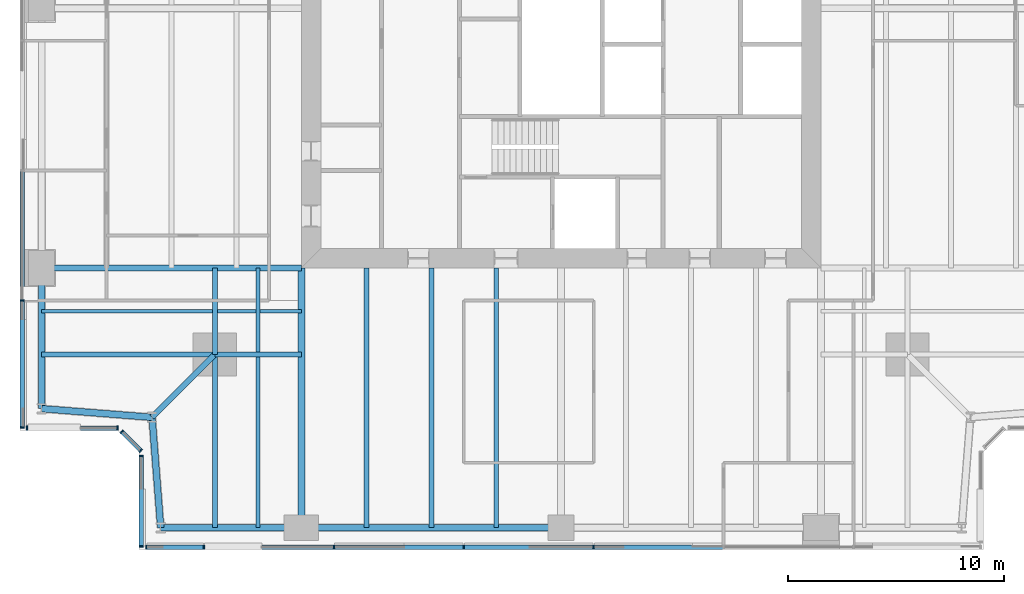
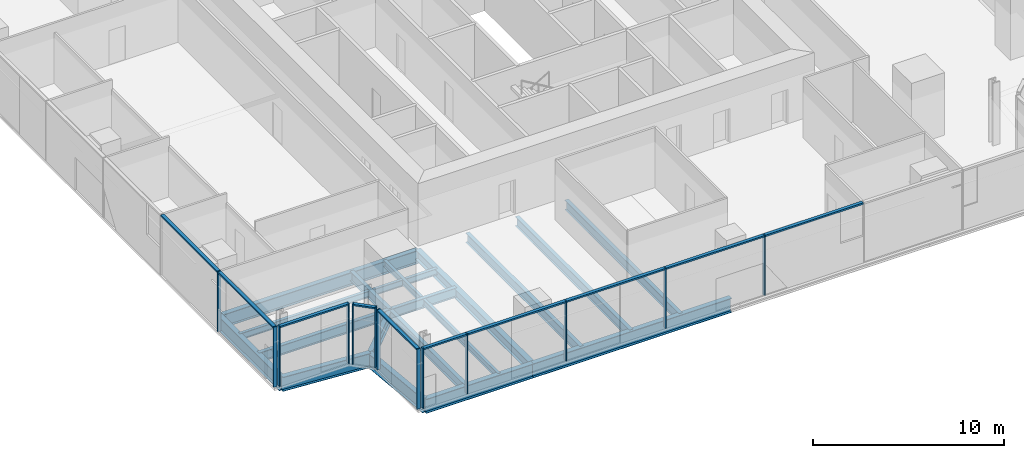
# One storey, part 2 of 16: 23 members, 20 beams, 5 elements without a shape of their own.
"""IFC4 building model written with IfcOpenShell, lengths in metres."""

from ifc_helpers import new_model, si_unit, direction, frame, origin, origin_2d, place, context, subcontext, project, spatial, rectangle, i_section, extrude, material, material_profile, profile_set, type_object, element, aggregate, save


model = new_model("IFC4")

# Units and contexts
model_context = context("Model", 3, precision=1e-05, world=origin(), true_north=direction((0.0, 1.0)))
body_context = subcontext(model_context, "Body", "Model", "MODEL_VIEW")
ifc_project = project(units=[si_unit("LENGTHUNIT", "METRE"), si_unit("AREAUNIT", "SQUARE_METRE"), si_unit("VOLUMEUNIT", "CUBIC_METRE"), si_unit("PLANEANGLEUNIT", "RADIAN"), si_unit("MASSUNIT", "GRAM", prefix="KILO")], contexts=[model_context])

# Site, building, storey
site_placement = place(None, origin())
site = spatial("IfcSite", under=ifc_project, at=site_placement, CompositionType="ELEMENT")
building_placement = place(site_placement, origin())
building = spatial("IfcBuilding", under=site, at=building_placement, Name="Fenwick Lantern Interchange", CompositionType="ELEMENT")
storey_placement = place(building_placement, frame((0.0, 0.0, 177.800048828125)))
storey = spatial("IfcBuildingStorey", under=building, at=storey_placement, Name="L41", CompositionType="ELEMENT", Elevation=177.800048828125)

# Beams
ifc_material_1 = material(Name="Steel ASTM A992 Grade 50", Category="steel")
ifc_material_profile_1 = material_profile(ifc_material_1, i_section(OverallWidth=0.3046875, OverallDepth=0.911865234375, WebThickness=0.015869140625, FlangeThickness=0.02392578125, at=origin_2d()), Name="W36X150")
ifc_profile_set_1 = profile_set([ifc_material_profile_1], Name="Steel ASTM A992 Grade 50")
beam_type_1 = type_object("IfcBeamType", Name="EDGE BEAM W36X150", PredefinedType="SPANDREL", material=ifc_profile_set_1)
beam_1_placement = place(storey_placement, frame((6.5, 1.0, -0.60595703125), z_axis=(1.0, 0.0, 0.0), x_axis=(0.0, 1.0, 0.0)))
element("IfcBeam", 1, at=beam_1_placement, inside=storey, type_object=beam_type_1, Name="L41/FR/S/EB1", PredefinedType="SPANDREL", context=body_context, shape_type="SweptSolid", body=[
    extrude(i_section(OverallWidth=0.3046875, OverallDepth=0.911865234375, WebThickness=0.015869140625, FlangeThickness=0.02392578125, at=origin_2d()), origin(), (0.0, 0.0, 1.0), 6.5),
])
beam_2_placement = place(storey_placement, frame((13.0, 1.0, -0.60595703125), z_axis=(1.0, 0.0, 0.0), x_axis=(0.0, 1.0, 0.0)))
element("IfcBeam", 2, at=beam_2_placement, inside=storey, type_object=beam_type_1, Name="L41/FR/S/EB2", PredefinedType="SPANDREL", context=body_context, shape_type="SweptSolid", body=[
    extrude(i_section(OverallWidth=0.3046875, OverallDepth=0.911865234375, WebThickness=0.015869140625, FlangeThickness=0.02392578125, at=origin_2d()), origin(), (0.0, 0.0, 1.0), 12.0),
])
beam_3_placement = place(storey_placement, frame((1.0, 13.0, -0.60595703125), z_axis=(0.0, -1.0, 0.0), x_axis=(1.0, 0.0, 0.0)))
element("IfcBeam", 3, at=beam_3_placement, inside=storey, type_object=beam_type_1, Name="L41/FR/W/EB4", PredefinedType="SPANDREL", context=body_context, shape_type="SweptSolid", body=[
    extrude(i_section(OverallWidth=0.3046875, OverallDepth=0.911865234375, WebThickness=0.015869140625, FlangeThickness=0.02392578125, at=origin_2d()), origin(), (0.0, 0.0, 1.0), 6.5),
])
for number, where, z_axis, x_axis, name in (
    (4, (1.0, 6.5, -0.60595703125), (0.99693998236, -0.078170784639, 0.0), (0.078170784639, 0.99693998236, 0.0), "L41/FR/W/EBR1"),
    (5, (6.10009765625, 6.10009765625, -0.60595703125), (0.078170784639, -0.99693998236, 0.0), (0.99693998236, 0.078170784639, 0.0), "L41/FR/W/EBR2"),
):
    element("IfcBeam", number, at=place(storey_placement, frame(where, z_axis=z_axis, x_axis=x_axis)), inside=storey, type_object=beam_type_1, Name=name, PredefinedType="SPANDREL", context=body_context, shape_type="SweptSolid", body=[
        extrude(i_section(OverallWidth=0.3046875, OverallDepth=0.911865234375, WebThickness=0.015869140625, FlangeThickness=0.02392578125, at=origin_2d()), origin(), (0.0, 0.0, 1.0), 5.11572265625),
    ])
ifc_material_profile_2 = material_profile(ifc_material_1, i_section(OverallWidth=0.22900390625, OverallDepth=0.612060546875, WebThickness=0.011962890625, FlangeThickness=0.01953125, at=origin_2d()), Name="W24X84")
ifc_profile_set_2 = profile_set([ifc_material_profile_2], Name="Steel ASTM A992 Grade 50")
beam_type_2 = type_object("IfcBeamType", Name="FLOOR BEAM W24X84", PredefinedType="BEAM", material=ifc_profile_set_2)
for number, where, z_axis, x_axis, name in (
    (6, (16.0, 1.0, -0.4560546875), (0.0, 1.0, 0.0), (-1.0, 0.0, 0.0), "L41/FR/S/R02"),
    (7, (19.0, 1.0, -0.4560546875), (0.0, 1.0, 0.0), (-1.0, 0.0, 0.0), "L41/FR/S/R03"),
    (8, (22.0, 1.0, -0.4560546875), (0.0, 1.0, 0.0), (-1.0, 0.0, 0.0), "L41/FR/S/R04"),
):
    element("IfcBeam", number, at=place(storey_placement, frame(where, z_axis=z_axis, x_axis=x_axis)), inside=storey, type_object=beam_type_2, Name=name, PredefinedType="BEAM", context=body_context, shape_type="SweptSolid", body=[
        extrude(i_section(OverallWidth=0.22900390625, OverallDepth=0.612060546875, WebThickness=0.011962890625, FlangeThickness=0.01953125, at=origin_2d()), origin(), (0.0, 0.0, 1.0), 12.0),
    ])
ifc_material_profile_3 = material_profile(ifc_material_1, i_section(OverallWidth=0.177734375, OverallDepth=0.406494140625, WebThickness=0.0078125, FlangeThickness=0.012939453125, at=origin_2d()), Name="W16X40")
ifc_profile_set_3 = profile_set([ifc_material_profile_3], Name="Steel ASTM A992 Grade 50")
beam_type_3 = type_object("IfcBeamType", Name="INFILL BEAM W16X40", PredefinedType="JOIST", material=ifc_profile_set_3)
beam_4_placement = place(storey_placement, frame((11.0, 1.0, -0.353271484375), z_axis=(0.0, 1.0, 0.0), x_axis=(-1.0, 0.0, 0.0)))
element("IfcBeam", 9, at=beam_4_placement, inside=storey, type_object=beam_type_3, Name="L41/FR/S/J1", PredefinedType="JOIST", context=body_context, shape_type="SweptSolid", body=[
    extrude(i_section(OverallWidth=0.177734375, OverallDepth=0.406494140625, WebThickness=0.0078125, FlangeThickness=0.012939453125, at=origin_2d()), origin(), (0.0, 0.0, 1.0), 7.885498046875),
])
beam_5_placement = place(storey_placement, frame((11.0, 9.114501953125, -0.353271484375), z_axis=(0.0, 1.0, 0.0), x_axis=(-1.0, 0.0, 0.0)))
element("IfcBeam", 10, at=beam_5_placement, inside=storey, type_object=beam_type_3, Name="L41/FR/S/J2", PredefinedType="JOIST", context=body_context, shape_type="SweptSolid", body=[
    extrude(i_section(OverallWidth=0.177734375, OverallDepth=0.406494140625, WebThickness=0.0078125, FlangeThickness=0.012939453125, at=origin_2d()), origin(), (0.0, 0.0, 1.0), 3.885498046875),
])
beam_6_placement = place(storey_placement, frame((1.0, 11.0, -0.353271484375), z_axis=(1.0, 0.0, 0.0), x_axis=(0.0, 1.0, 0.0)))
element("IfcBeam", 11, at=beam_6_placement, inside=storey, type_object=beam_type_3, Name="L41/FR/S/J3", PredefinedType="JOIST", context=body_context, shape_type="SweptSolid", body=[
    extrude(i_section(OverallWidth=0.177734375, OverallDepth=0.406494140625, WebThickness=0.0078125, FlangeThickness=0.012939453125, at=origin_2d()), origin(), (0.0, 0.0, 1.0), 7.885498046875),
])
beam_7_placement = place(storey_placement, frame((9.114501953125, 11.0, -0.353271484375), z_axis=(1.0, 0.0, 0.0), x_axis=(0.0, 1.0, 0.0)))
element("IfcBeam", 12, at=beam_7_placement, inside=storey, type_object=beam_type_3, Name="L41/FR/S/J4", PredefinedType="JOIST", context=body_context, shape_type="SweptSolid", body=[
    extrude(i_section(OverallWidth=0.177734375, OverallDepth=0.406494140625, WebThickness=0.0078125, FlangeThickness=0.012939453125, at=origin_2d()), origin(), (0.0, 0.0, 1.0), 1.796630859375),
])
beam_8_placement = place(storey_placement, frame((11.0888671875, 11.0, -0.353271484375), z_axis=(1.0, 0.0, 0.0), x_axis=(0.0, 1.0, 0.0)))
element("IfcBeam", 13, at=beam_8_placement, inside=storey, type_object=beam_type_3, Name="L41/FR/S/J5", PredefinedType="JOIST", context=body_context, shape_type="SweptSolid", body=[
    extrude(i_section(OverallWidth=0.177734375, OverallDepth=0.406494140625, WebThickness=0.0078125, FlangeThickness=0.012939453125, at=origin_2d()), origin(), (0.0, 0.0, 1.0), 1.9111328125),
])
ifc_material_profile_4 = material_profile(ifc_material_1, i_section(OverallWidth=0.22900390625, OverallDepth=0.612060546875, WebThickness=0.011962890625, FlangeThickness=0.01953125, at=origin_2d()), Name="W24X84")
ifc_profile_set_4 = profile_set([ifc_material_profile_4], Name="Steel ASTM A992 Grade 50")
beam_type_4 = type_object("IfcBeamType", Name="MEGA COLUMN BEAM W24X84", PredefinedType="BEAM", material=ifc_profile_set_4)
for number, where, z_axis, x_axis, name in (
    (14, (9.0, 9.0, -0.4560546875), (0.0, -1.0, 0.0), (1.0, 0.0, 0.0), "L41/FR/S/MB1"),
    (15, (9.0, 9.0, -0.4560546875), (-1.0, 0.0, 0.0), (0.0, -1.0, 0.0), "L41/FR/S/MB2"),
):
    element("IfcBeam", number, at=place(storey_placement, frame(where, z_axis=z_axis, x_axis=x_axis)), inside=storey, type_object=beam_type_4, Name=name, PredefinedType="BEAM", context=body_context, shape_type="SweptSolid", body=[
        extrude(i_section(OverallWidth=0.22900390625, OverallDepth=0.612060546875, WebThickness=0.011962890625, FlangeThickness=0.01953125, at=origin_2d()), origin(), (0.0, 0.0, 1.0), 8.0),
    ])
for number, where, z_axis, x_axis, name in (
    (16, (9.0, 9.0, -0.4560546875), (1.0, 0.0, 0.0), (0.0, 1.0, 0.0), "L41/FR/S/MB3"),
    (17, (9.0, 9.0, -0.4560546875), (0.0, 1.0, 0.0), (-1.0, 0.0, 0.0), "L41/FR/S/MB4"),
):
    element("IfcBeam", number, at=place(storey_placement, frame(where, z_axis=z_axis, x_axis=x_axis)), inside=storey, type_object=beam_type_4, Name=name, PredefinedType="BEAM", context=body_context, shape_type="SweptSolid", body=[
        extrude(i_section(OverallWidth=0.22900390625, OverallDepth=0.612060546875, WebThickness=0.011962890625, FlangeThickness=0.01953125, at=origin_2d()), origin(), (0.0, 0.0, 1.0), 4.0),
    ])
ifc_material_profile_5 = material_profile(ifc_material_1, i_section(OverallWidth=0.32763671875, OverallDepth=0.622314453125, WebThickness=0.015380859375, FlangeThickness=0.0244140625, at=origin_2d()), Name="W24X131")
ifc_profile_set_5 = profile_set([ifc_material_profile_5], Name="Steel ASTM A992 Grade 50")
beam_type_5 = type_object("IfcBeamType", Name="MOMENT-CONNECTED GIRDER W24X131", PredefinedType="BEAM", material=ifc_profile_set_5)
beam_9_placement = place(storey_placement, frame((13.0, 1.0, -0.461181640625), z_axis=(0.0, 1.0, 0.0), x_axis=(-1.0, 0.0, 0.0)))
element("IfcBeam", 18, at=beam_9_placement, inside=storey, type_object=beam_type_5, Name="L41/FR/S/R01", PredefinedType="BEAM", context=body_context, shape_type="SweptSolid", body=[
    extrude(i_section(OverallWidth=0.32763671875, OverallDepth=0.622314453125, WebThickness=0.015380859375, FlangeThickness=0.0244140625, at=origin_2d()), origin(), (0.0, 0.0, 1.0), 12.0),
])
ifc_material_profile_6 = material_profile(ifc_material_1, i_section(OverallWidth=0.2919921875, OverallDepth=0.845703125, WebThickness=0.015380859375, FlangeThickness=0.0244140625, at=origin_2d()), Name="W33X141")
ifc_profile_set_6 = profile_set([ifc_material_profile_6], Name="Steel ASTM A992 Grade 50")
beam_type_6 = type_object("IfcBeamType", Name="MOMENT-CONNECTED GIRDER W33X141", PredefinedType="BEAM", material=ifc_profile_set_6)
beam_10_placement = place(storey_placement, frame((1.0, 13.0, -0.572998046875), z_axis=(1.0, 0.0, 0.0), x_axis=(0.0, 1.0, 0.0)))
element("IfcBeam", 19, at=beam_10_placement, inside=storey, type_object=beam_type_6, Name="L41/FR/W/R03", PredefinedType="BEAM", context=body_context, shape_type="SweptSolid", body=[
    extrude(i_section(OverallWidth=0.2919921875, OverallDepth=0.845703125, WebThickness=0.015380859375, FlangeThickness=0.0244140625, at=origin_2d()), origin(), (0.0, 0.0, 1.0), 12.0),
])
ifc_material_profile_7 = material_profile(ifc_material_1, i_section(OverallWidth=0.2666015625, OverallDepth=0.7568359375, WebThickness=0.013916015625, FlangeThickness=0.019287109375, at=origin_2d()), Name="W30X108")
ifc_profile_set_7 = profile_set([ifc_material_profile_7], Name="Steel ASTM A992 Grade 50")
beam_type_7 = type_object("IfcBeamType", Name="NOTCH BEAM W30X108", PredefinedType="BEAM", material=ifc_profile_set_7)
beam_11_placement = place(storey_placement, frame((9.0, 9.0, -0.528564453125), z_axis=(-0.707106781187, -0.707106781187, 0.0), x_axis=(0.707106781187, -0.707106781187, 0.0)))
element("IfcBeam", 20, at=beam_11_placement, inside=storey, type_object=beam_type_7, Name="L41/FR/S/TG", PredefinedType="BEAM", context=body_context, shape_type="SweptSolid", body=[
    extrude(i_section(OverallWidth=0.2666015625, OverallDepth=0.7568359375, WebThickness=0.013916015625, FlangeThickness=0.019287109375, at=origin_2d()), origin(), (0.0, 0.0, 1.0), 4.10107421875),
])

# Curtain wall, members
ifc_material_2 = material(Name="Aluminium curtain wall frame", Category="aluminium")
curtain_wall_type = type_object("IfcCurtainWallType", Name="OFFICE CURTAIN WALL", PredefinedType="USERDEFINED", material=ifc_material_2)
curtain_wall_1_placement = place(storey_placement, origin())
curtain_wall_1 = element("IfcCurtainWall", 21, at=curtain_wall_1_placement, inside=storey, type_object=curtain_wall_type, Name="Office curtain wall 01", ObjectType="OFFICE CURTAIN WALL", PredefinedType="USERDEFINED")
ifc_material_3 = material(Name="Aluminium extrusion", Category="aluminium")
ifc_material_profile_8 = material_profile(ifc_material_3, rectangle(XDim=0.199951171875, YDim=0.06494140625, at=origin_2d()), Name="OFFICE CURTAIN WALL MULLION 65 X 200")
ifc_profile_set_8 = profile_set([ifc_material_profile_8], Name="Aluminium extrusion")
member_type_1 = type_object("IfcMemberType", Name="OFFICE CURTAIN WALL MULLION 65 X 200", PredefinedType="MULLION", material=ifc_profile_set_8)
member_1_placement = place(storey_placement, frame((5.83251953125, 0.10009765625, 0.0), z_axis=(0.0, 0.0, 1.0), x_axis=(0.0, 1.0, 0.0)))
member_1 = element("IfcMember", 22, at=member_1_placement, type_object=member_type_1, Name="L41/CW/01/M00", PredefinedType="MULLION", context=body_context, shape_type="SweptSolid", body=[
    extrude(rectangle(XDim=0.199951171875, YDim=0.06494140625, at=origin_2d()), origin(), (0.0, 0.0, 1.0), 3.849853515625),
])
member_2_placement = place(storey_placement, frame((8.5, 0.10009765625, 0.0), z_axis=(0.0, 0.0, 1.0), x_axis=(0.0, 1.0, 0.0)))
member_2 = element("IfcMember", 23, at=member_2_placement, type_object=member_type_1, Name="L41/CW/01/M01", PredefinedType="MULLION", context=body_context, shape_type="SweptSolid", body=[
    extrude(rectangle(XDim=0.199951171875, YDim=0.06494140625, at=origin_2d()), origin(), (0.0, 0.0, 1.0), 3.849853515625),
])
member_3_placement = place(storey_placement, frame((14.5, 0.10009765625, 0.0), z_axis=(0.0, 0.0, 1.0), x_axis=(0.0, 1.0, 0.0)))
member_3 = element("IfcMember", 24, at=member_3_placement, type_object=member_type_1, Name="L41/CW/01/M02", PredefinedType="MULLION", context=body_context, shape_type="SweptSolid", body=[
    extrude(rectangle(XDim=0.199951171875, YDim=0.06494140625, at=origin_2d()), origin(), (0.0, 0.0, 1.0), 3.849853515625),
])
member_4_placement = place(storey_placement, frame((20.5, 0.10009765625, 0.0), z_axis=(0.0, 0.0, 1.0), x_axis=(0.0, 1.0, 0.0)))
member_4 = element("IfcMember", 25, at=member_4_placement, type_object=member_type_1, Name="L41/CW/01/M03", PredefinedType="MULLION", context=body_context, shape_type="SweptSolid", body=[
    extrude(rectangle(XDim=0.199951171875, YDim=0.06494140625, at=origin_2d()), origin(), (0.0, 0.0, 1.0), 3.849853515625),
])
member_5_placement = place(storey_placement, frame((26.5, 0.10009765625, 0.0), z_axis=(0.0, 0.0, 1.0), x_axis=(0.0, 1.0, 0.0)))
member_5 = element("IfcMember", 26, at=member_5_placement, type_object=member_type_1, Name="L41/CW/01/M04", PredefinedType="MULLION", context=body_context, shape_type="SweptSolid", body=[
    extrude(rectangle(XDim=0.199951171875, YDim=0.06494140625, at=origin_2d()), origin(), (0.0, 0.0, 1.0), 3.849853515625),
])

curtain_wall_2_placement = place(storey_placement, origin())
curtain_wall_2 = element("IfcCurtainWall", 27, at=curtain_wall_2_placement, inside=storey, type_object=curtain_wall_type, Name="Office curtain wall 13", ObjectType="OFFICE CURTAIN WALL", PredefinedType="USERDEFINED")
member_6_placement = place(storey_placement, frame((0.10009765625, 11.5, 0.0), z_axis=(0.0, 0.0, 1.0), x_axis=(1.0, 0.0, 0.0)))
member_6 = element("IfcMember", 28, at=member_6_placement, type_object=member_type_1, Name="L41/CW/13/M06", PredefinedType="MULLION", context=body_context, shape_type="SweptSolid", body=[
    extrude(rectangle(XDim=0.199951171875, YDim=0.06494140625, at=origin_2d()), origin(), (0.0, 0.0, 1.0), 3.849853515625),
])
member_7_placement = place(storey_placement, frame((0.10009765625, 5.632568359375, 0.0), z_axis=(0.0, 0.0, 1.0), x_axis=(1.0, 0.0, 0.0)))
member_7 = element("IfcMember", 29, at=member_7_placement, type_object=member_type_1, Name="L41/CW/13/M07", PredefinedType="MULLION", context=body_context, shape_type="SweptSolid", body=[
    extrude(rectangle(XDim=0.199951171875, YDim=0.06494140625, at=origin_2d()), origin(), (0.0, 0.0, 1.0), 3.849853515625),
])

curtain_wall_3_placement = place(storey_placement, origin())
curtain_wall_3 = element("IfcCurtainWall", 30, at=curtain_wall_3_placement, inside=storey, type_object=curtain_wall_type, Name="Office curtain wall 14", ObjectType="OFFICE CURTAIN WALL", PredefinedType="USERDEFINED")
member_8_placement = place(storey_placement, frame((0.33251953125, 5.60009765625, 0.0), z_axis=(0.0, 0.0, 1.0), x_axis=(0.0, 1.0, 0.0)))
member_8 = element("IfcMember", 31, at=member_8_placement, type_object=member_type_1, Name="L41/CW/14/M00", PredefinedType="MULLION", context=body_context, shape_type="SweptSolid", body=[
    extrude(rectangle(XDim=0.199951171875, YDim=0.06494140625, at=origin_2d()), origin(), (0.0, 0.0, 1.0), 3.849853515625),
])
member_9_placement = place(storey_placement, frame((4.509033203125, 5.60009765625, 0.0), z_axis=(0.0, 0.0, 1.0), x_axis=(0.0, 1.0, 0.0)))
member_9 = element("IfcMember", 32, at=member_9_placement, type_object=member_type_1, Name="L41/CW/14/M01", PredefinedType="MULLION", context=body_context, shape_type="SweptSolid", body=[
    extrude(rectangle(XDim=0.199951171875, YDim=0.06494140625, at=origin_2d()), origin(), (0.0, 0.0, 1.0), 3.849853515625),
])

curtain_wall_4_placement = place(storey_placement, origin())
curtain_wall_4 = element("IfcCurtainWall", 33, at=curtain_wall_4_placement, inside=storey, type_object=curtain_wall_type, Name="Office curtain wall 15", ObjectType="OFFICE CURTAIN WALL", PredefinedType="USERDEFINED")
member_10_placement = place(storey_placement, frame((4.705810546875, 5.435546875, 0.0), z_axis=(0.0, 0.0, 1.0), x_axis=(0.707106781187, 0.707106781187, 0.0)))
member_10 = element("IfcMember", 34, at=member_10_placement, type_object=member_type_1, Name="L41/CW/15/M00", PredefinedType="MULLION", context=body_context, shape_type="SweptSolid", body=[
    extrude(rectangle(XDim=0.199951171875, YDim=0.06494140625, at=origin_2d()), origin(), (0.0, 0.0, 1.0), 3.849853515625),
])
member_11_placement = place(storey_placement, frame((5.576904296875, 4.564453125, 0.0), z_axis=(0.0, 0.0, 1.0), x_axis=(0.707106781187, 0.707106781187, 0.0)))
member_11 = element("IfcMember", 35, at=member_11_placement, type_object=member_type_1, Name="L41/CW/15/M01", PredefinedType="MULLION", context=body_context, shape_type="SweptSolid", body=[
    extrude(rectangle(XDim=0.199951171875, YDim=0.06494140625, at=origin_2d()), origin(), (0.0, 0.0, 1.0), 3.849853515625),
])

curtain_wall_5_placement = place(storey_placement, origin())
curtain_wall_5 = element("IfcCurtainWall", 36, at=curtain_wall_5_placement, inside=storey, type_object=curtain_wall_type, Name="Office curtain wall 16", ObjectType="OFFICE CURTAIN WALL", PredefinedType="USERDEFINED")
member_12_placement = place(storey_placement, frame((5.60009765625, 4.308837890625, 0.0), z_axis=(0.0, 0.0, 1.0), x_axis=(1.0, 0.0, 0.0)))
member_12 = element("IfcMember", 37, at=member_12_placement, type_object=member_type_1, Name="L41/CW/16/M00", PredefinedType="MULLION", context=body_context, shape_type="SweptSolid", body=[
    extrude(rectangle(XDim=0.199951171875, YDim=0.06494140625, at=origin_2d()), origin(), (0.0, 0.0, 1.0), 3.849853515625),
])
member_13_placement = place(storey_placement, frame((5.60009765625, 0.132568359375, 0.0), z_axis=(0.0, 0.0, 1.0), x_axis=(1.0, 0.0, 0.0)))
member_13 = element("IfcMember", 38, at=member_13_placement, type_object=member_type_1, Name="L41/CW/16/M01", PredefinedType="MULLION", context=body_context, shape_type="SweptSolid", body=[
    extrude(rectangle(XDim=0.199951171875, YDim=0.06494140625, at=origin_2d()), origin(), (0.0, 0.0, 1.0), 3.849853515625),
])

# Member
ifc_material_profile_9 = material_profile(ifc_material_3, rectangle(XDim=0.199951171875, YDim=0.10009765625, at=origin_2d()), Name="OFFICE CURTAIN WALL TRANSOM 100 X 200")
ifc_profile_set_9 = profile_set([ifc_material_profile_9], Name="Aluminium extrusion")
member_type_2 = type_object("IfcMemberType", Name="OFFICE CURTAIN WALL TRANSOM 100 X 200", PredefinedType="MULLION", material=ifc_profile_set_9)
member_14_placement = place(storey_placement, frame((5.864990234375, 0.10009765625, 3.800048828125), z_axis=(1.0, 0.0, 0.0), x_axis=(0.0, 1.0, 0.0)))
member_14 = element("IfcMember", 39, at=member_14_placement, type_object=member_type_2, Name="L41/CW/01/T00", PredefinedType="MULLION", context=body_context, shape_type="SweptSolid", body=[
    extrude(rectangle(XDim=0.199951171875, YDim=0.10009765625, at=origin_2d()), origin(), (0.0, 0.0, 1.0), 2.6025390625),
])

member_15_placement = place(storey_placement, frame((8.532470703125, 0.10009765625, 3.800048828125), z_axis=(1.0, 0.0, 0.0), x_axis=(0.0, 1.0, 0.0)))
member_15 = element("IfcMember", 40, at=member_15_placement, type_object=member_type_2, Name="L41/CW/01/T01", PredefinedType="MULLION", context=body_context, shape_type="SweptSolid", body=[
    extrude(rectangle(XDim=0.199951171875, YDim=0.10009765625, at=origin_2d()), origin(), (0.0, 0.0, 1.0), 5.93505859375),
])

member_16_placement = place(storey_placement, frame((14.532470703125, 0.10009765625, 3.800048828125), z_axis=(1.0, 0.0, 0.0), x_axis=(0.0, 1.0, 0.0)))
member_16 = element("IfcMember", 41, at=member_16_placement, type_object=member_type_2, Name="L41/CW/01/T02", PredefinedType="MULLION", context=body_context, shape_type="SweptSolid", body=[
    extrude(rectangle(XDim=0.199951171875, YDim=0.10009765625, at=origin_2d()), origin(), (0.0, 0.0, 1.0), 5.93505859375),
])

member_17_placement = place(storey_placement, frame((20.532470703125, 0.10009765625, 3.800048828125), z_axis=(1.0, 0.0, 0.0), x_axis=(0.0, 1.0, 0.0)))
member_17 = element("IfcMember", 42, at=member_17_placement, type_object=member_type_2, Name="L41/CW/01/T03", PredefinedType="MULLION", context=body_context, shape_type="SweptSolid", body=[
    extrude(rectangle(XDim=0.199951171875, YDim=0.10009765625, at=origin_2d()), origin(), (0.0, 0.0, 1.0), 5.93505859375),
])

member_18_placement = place(storey_placement, frame((26.532470703125, 0.10009765625, 3.800048828125), z_axis=(1.0, 0.0, 0.0), x_axis=(0.0, 1.0, 0.0)))
member_18 = element("IfcMember", 43, at=member_18_placement, type_object=member_type_2, Name="L41/CW/01/T04", PredefinedType="MULLION", context=body_context, shape_type="SweptSolid", body=[
    extrude(rectangle(XDim=0.199951171875, YDim=0.10009765625, at=origin_2d()), origin(), (0.0, 0.0, 1.0), 5.93505859375),
])

aggregate(curtain_wall_1, [member_1, member_2, member_3, member_4, member_5, member_14, member_15, member_16, member_17, member_18])

member_19_placement = place(storey_placement, frame((0.10009765625, 17.467529296875, 3.800048828125), z_axis=(0.0, -1.0, 0.0), x_axis=(1.0, 0.0, 0.0)))
member_19 = element("IfcMember", 44, at=member_19_placement, type_object=member_type_2, Name="L41/CW/13/T05", PredefinedType="MULLION", context=body_context, shape_type="SweptSolid", body=[
    extrude(rectangle(XDim=0.199951171875, YDim=0.10009765625, at=origin_2d()), origin(), (0.0, 0.0, 1.0), 5.93505859375),
])

member_20_placement = place(storey_placement, frame((0.10009765625, 11.467529296875, 3.800048828125), z_axis=(0.0, -1.0, 0.0), x_axis=(1.0, 0.0, 0.0)))
member_20 = element("IfcMember", 45, at=member_20_placement, type_object=member_type_2, Name="L41/CW/13/T06", PredefinedType="MULLION", context=body_context, shape_type="SweptSolid", body=[
    extrude(rectangle(XDim=0.199951171875, YDim=0.10009765625, at=origin_2d()), origin(), (0.0, 0.0, 1.0), 5.802490234375),
])

aggregate(curtain_wall_2, [member_6, member_7, member_19, member_20])

member_21_placement = place(storey_placement, frame((0.364990234375, 5.60009765625, 3.800048828125), z_axis=(1.0, 0.0, 0.0), x_axis=(0.0, 1.0, 0.0)))
member_21 = element("IfcMember", 46, at=member_21_placement, type_object=member_type_2, Name="L41/CW/14/T00", PredefinedType="MULLION", context=body_context, shape_type="SweptSolid", body=[
    extrude(rectangle(XDim=0.199951171875, YDim=0.10009765625, at=origin_2d()), origin(), (0.0, 0.0, 1.0), 4.111328125),
])

aggregate(curtain_wall_3, [member_8, member_9, member_21])

member_22_placement = place(storey_placement, frame((4.728759765625, 5.41259765625, 3.800048828125), z_axis=(0.707106781187, -0.707106781187, 0.0), x_axis=(0.707106781187, 0.707106781187, 0.0)))
member_22 = element("IfcMember", 47, at=member_22_placement, type_object=member_type_2, Name="L41/CW/15/T00", PredefinedType="MULLION", context=body_context, shape_type="SweptSolid", body=[
    extrude(rectangle(XDim=0.199951171875, YDim=0.10009765625, at=origin_2d()), origin(), (0.0, 0.0, 1.0), 1.1669921875),
])

aggregate(curtain_wall_4, [member_10, member_11, member_22])

member_23_placement = place(storey_placement, frame((5.60009765625, 4.2763671875, 3.800048828125), z_axis=(0.0, -1.0, 0.0), x_axis=(1.0, 0.0, 0.0)))
member_23 = element("IfcMember", 48, at=member_23_placement, type_object=member_type_2, Name="L41/CW/16/T00", PredefinedType="MULLION", context=body_context, shape_type="SweptSolid", body=[
    extrude(rectangle(XDim=0.199951171875, YDim=0.10009765625, at=origin_2d()), origin(), (0.0, 0.0, 1.0), 4.111328125),
])

aggregate(curtain_wall_5, [member_12, member_13, member_23])

save(model, "model.ifc")
